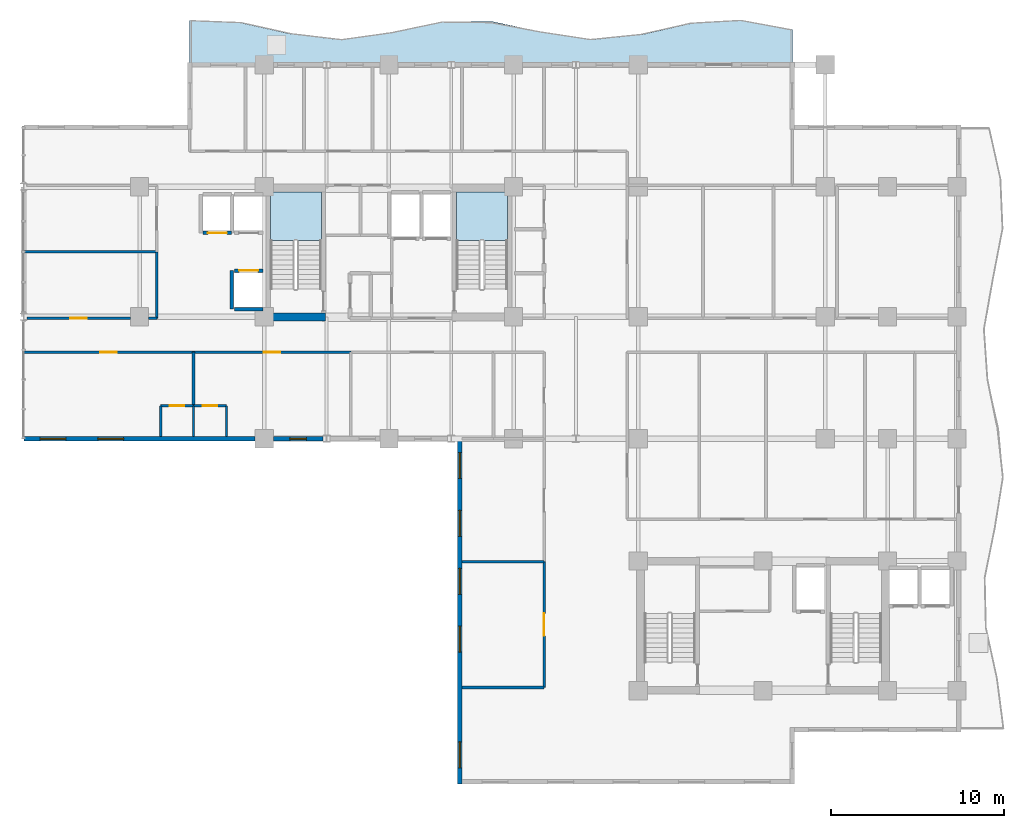
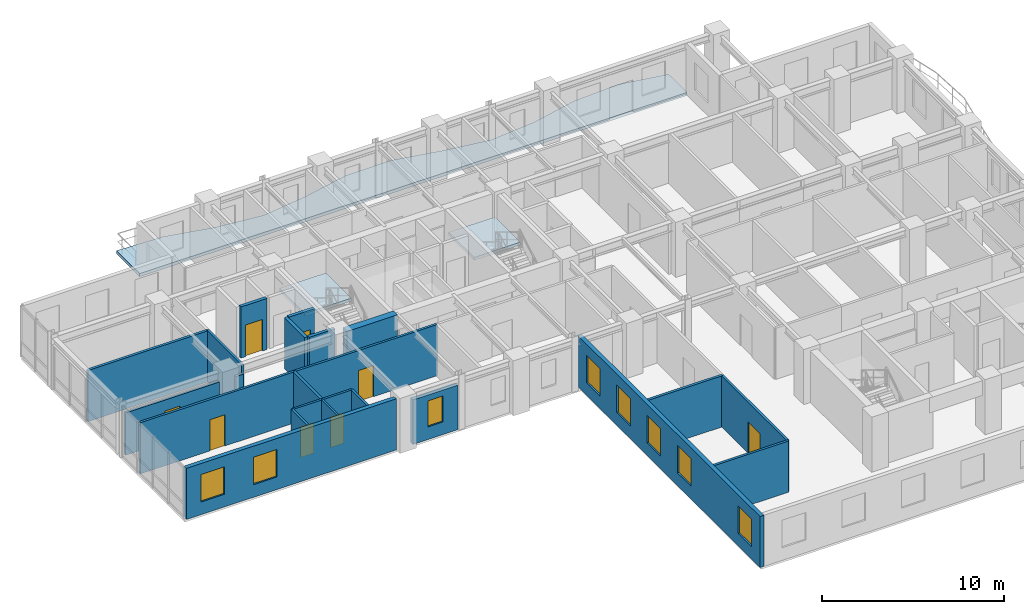
# One storey, part 9 of 18: 23 walls, 8 doors, 8 windows, 3 slabs, 16 openings, 2 elements without a shape of their own.
"""IFC4 building model written with IfcOpenShell, lengths in metres."""

from ifc_helpers import new_model, si_unit, direction, frame, frame_2d, origin, place, context, subcontext, project, spatial, polyline, rectangle, outline, extrude, material, layer, layer_set, type_object, element, fill, aggregate, save


model = new_model("IFC4")

# Units and contexts
model_context = context("Model", 3, precision=1e-05, world=origin(), true_north=direction((0.0, 1.0)))
body_context = subcontext(model_context, "Body", "Model", "MODEL_VIEW")
ifc_project = project(units=[si_unit("LENGTHUNIT", "METRE"), si_unit("AREAUNIT", "SQUARE_METRE"), si_unit("VOLUMEUNIT", "CUBIC_METRE"), si_unit("PLANEANGLEUNIT", "RADIAN"), si_unit("MASSUNIT", "GRAM", prefix="KILO")], contexts=[model_context])

# Site, building, storey
site_placement = place(None, origin())
site = spatial("IfcSite", under=ifc_project, at=site_placement, CompositionType="ELEMENT")
building_placement = place(site_placement, origin())
building = spatial("IfcBuilding", under=site, at=building_placement, Name="Kaliganga Portal Commons", CompositionType="ELEMENT")
storey_placement = place(building_placement, frame((0.0, 0.0, 169.800048828125)))
storey = spatial("IfcBuildingStorey", under=building, at=storey_placement, Name="L43", CompositionType="ELEMENT", Elevation=169.800048828125)

# Slab
ifc_material_1 = material(Name="Concrete C40/50", Category="concrete")
ifc_layer_1 = layer(ifc_material_1, 0.2099609375)
ifc_layer_set_1 = layer_set([ifc_layer_1], Name="Concrete C40/50")
slab_type_1 = type_object("IfcSlabType", Name="SLB-BALC-210", PredefinedType="FLOOR", material=ifc_layer_set_1)
slab_1_placement = place(storey_placement, frame((0.0, 0.0, -0.2099609375)))
element("IfcSlab", 1, at=slab_1_placement, inside=storey, type_object=slab_type_1, Name="Scalloped Tree-Planter Balcony Slab L43 balc_north", PredefinedType="FLOOR", context=body_context, shape_type="SweptSolid", body=[
    extrude(outline(polyline([(44.89990234375, 43.199951171875), (44.89990234375, 45.221435546875), (42.0, 45.763671875), (39.10009765625, 45.599609375), (36.199951171875, 44.942626953125), (33.300048828125, 44.649169921875), (30.39990234375, 45.101318359375), (27.5, 45.7099609375), (24.60009765625, 45.682373046875), (21.699951171875, 45.05419921875), (18.800048828125, 44.64404296875), (15.89990234375, 44.986083984375), (13.0, 45.634765625), (10.10009765625, 45.744873046875), (10.10009765625, 43.199951171875), (44.89990234375, 43.199951171875)])), origin(), (0.0, 0.0, 1.0), 0.2099609375),
])

# Stair, slab
stair_type = type_object("IfcStairType", Name="ST-CORE-DOGLEG", PredefinedType="HALF_TURN_STAIR", material=ifc_material_1)
stair_1_placement = place(storey_placement, origin())
stair_1 = element("IfcStair", 2, at=stair_1_placement, inside=storey, type_object=stair_type, Name="L43 Protected Exit Stair ST-A1", PredefinedType="HALF_TURN_STAIR")
ifc_layer_2 = layer(ifc_material_1, 0.199951171875)
ifc_layer_set_2 = layer_set([ifc_layer_2], Name="Concrete C40/50")
slab_type_2 = type_object("IfcSlabType", Name="SLB-STAIR-LND", PredefinedType="LANDING", material=ifc_layer_set_2)
slab_2_placement = place(storey_placement, frame((0.0, 0.0, 1.64990234375)))
slab_2 = element("IfcSlab", 3, at=slab_2_placement, type_object=slab_type_2, Name="ST-A1 landing 1", PredefinedType="LANDING", context=body_context, shape_type="SweptSolid", body=[
    extrude(outline(polyline([(17.699951171875, 33.050048828125), (17.699951171875, 35.85009765625), (14.75, 35.85009765625), (14.75, 33.050048828125), (17.699951171875, 33.050048828125)])), origin(), (0.0, 0.0, 1.0), 0.199951171875),
])
aggregate(stair_1, [slab_2])

stair_2_placement = place(storey_placement, origin())
stair_2 = element("IfcStair", 4, at=stair_2_placement, inside=storey, type_object=stair_type, Name="L43 Protected Exit Stair ST-A2", PredefinedType="HALF_TURN_STAIR")
slab_3_placement = place(storey_placement, frame((0.0, 0.0, 1.64990234375)))
slab_3 = element("IfcSlab", 5, at=slab_3_placement, type_object=slab_type_2, Name="ST-A2 landing 1", PredefinedType="LANDING", context=body_context, shape_type="SweptSolid", body=[
    extrude(outline(polyline([(28.449951171875, 33.050048828125), (28.449951171875, 35.85009765625), (25.5, 35.85009765625), (25.5, 33.050048828125), (28.449951171875, 33.050048828125)])), origin(), (0.0, 0.0, 1.0), 0.199951171875),
])
aggregate(stair_2, [slab_3])

# Wall
ifc_material_2 = material(Name="Concrete C60/75", Category="concrete")
ifc_layer_3 = layer(ifc_material_2, 0.449951171875)
ifc_layer_set_3 = layer_set([ifc_layer_3], Name="Concrete C60/75")
wall_type_1 = type_object("IfcWallType", Name="WL-CORE-450", PredefinedType="SHEAR", material=ifc_layer_set_3)
wall_1_placement = place(storey_placement, frame((14.75, 28.625, 0.0), z_axis=(0.0, 0.0, 1.0), x_axis=(1.0, 0.0, 0.0)))
element("IfcWall", 6, at=wall_1_placement, inside=storey, type_object=wall_type_1, Name="Core A S-West Shear Wall L43", PredefinedType="SHEAR", context=body_context, shape_type="SweptSolid", body=[
    extrude(rectangle(XDim=3.199951171875, YDim=0.449951171875, at=frame_2d((1.60009765625, 0.0))), origin(), (0.0, 0.0, 1.0), 3.4599609375),
])

# Wall, openings, windows
ifc_material_3 = material(Name="Insulated Aluminium-Clad Spandrel Assembly", Category="aluminium")
ifc_layer_4 = layer(ifc_material_3, 0.260009765625)
ifc_layer_set_4 = layer_set([ifc_layer_4], Name="Insulated Aluminium-Clad Spandrel Assembly")
wall_type_2 = type_object("IfcWallType", Name="WL-EXT-SPAND-260", PredefinedType="STANDARD", material=ifc_layer_set_4)
wall_2_placement = place(storey_placement, frame((13.8740234375, 21.60009765625, 0.0), z_axis=(0.0, 0.0, 1.0), x_axis=(-1.0, 0.0, 0.0)))
wall_2 = element("IfcWall", 7, at=wall_2_placement, inside=storey, type_object=wall_type_2, Name="Exterior Envelope Wall L43 P1-E10-S1", PredefinedType="STANDARD", context=body_context, shape_type="SweptSolid", body=[
    extrude(rectangle(XDim=13.3369140625, YDim=0.260009765625, at=frame_2d((6.66845703125, 0.0))), origin(), (0.0, 0.0, 1.0), 3.43994140625),
])
opening_1_placement = place(wall_2_placement, frame((7.585693359375, 0.0, 0.85009765625)))
opening_1 = element("IfcOpeningElement", 8, at=opening_1_placement, cuts=wall_2, Name="Opening W-02", PredefinedType="OPENING", context=body_context, shape_type="SweptSolid", body=[
    extrude(rectangle(XDim=1.5, YDim=1.85009765625, at=frame_2d((0.75, 0.925048828125))), frame((0.0, 0.14013671875, 0.0), z_axis=(0.0, -1.0, 0.0), x_axis=(1.0, 0.0, 0.0)), (0.0, 0.0, 1.0), 0.280029296875),
])
opening_2_placement = place(wall_2_placement, frame((10.919921875, 0.0, 0.85009765625)))
opening_2 = element("IfcOpeningElement", 9, at=opening_2_placement, cuts=wall_2, Name="Opening W-02", PredefinedType="OPENING", context=body_context, shape_type="SweptSolid", body=[
    extrude(rectangle(XDim=1.5, YDim=1.85009765625, at=frame_2d((0.75, 0.925048828125))), frame((0.0, 0.14013671875, 0.0), z_axis=(0.0, -1.0, 0.0), x_axis=(1.0, 0.0, 0.0)), (0.0, 0.0, 1.0), 0.280029296875),
])
ifc_material_4 = material(Name="Thermally Broken Aluminium and Low-E Double Glazing", Category="aluminium")
window_type_1 = type_object("IfcWindowType", Name="WIN-STD-1500", PartitioningType="DOUBLE_PANEL_VERTICAL", PredefinedType="WINDOW", material=ifc_material_4)
window_1_placement = place(opening_1_placement, origin())
window_1 = element("IfcWindow", 10, at=window_1_placement, inside=storey, type_object=window_type_1, Name="Facade Window L43-P1E10S1-02", OverallHeight=1.85009765625, OverallWidth=1.5, PartitioningType="SINGLE_PANEL", PredefinedType="WINDOW", context=body_context, shape_type="SweptSolid", body=[
    extrude(rectangle(XDim=1.5, YDim=1.85009765625, at=frame_2d((0.75, 0.925048828125))), frame((0.0, 0.030029296875, 0.0), z_axis=(0.0, -1.0, 0.0), x_axis=(1.0, 0.0, 0.0)), (0.0, 0.0, 1.0), 0.06005859375),
])
fill(opening_1, window_1)
window_2_placement = place(opening_2_placement, origin())
window_2 = element("IfcWindow", 11, at=window_2_placement, inside=storey, type_object=window_type_1, Name="Facade Window L43-P1E10S1-03", OverallHeight=1.85009765625, OverallWidth=1.5, PartitioningType="SINGLE_PANEL", PredefinedType="WINDOW", context=body_context, shape_type="SweptSolid", body=[
    extrude(rectangle(XDim=1.5, YDim=1.85009765625, at=frame_2d((0.75, 0.925048828125))), frame((0.0, 0.030029296875, 0.0), z_axis=(0.0, -1.0, 0.0), x_axis=(1.0, 0.0, 0.0)), (0.0, 0.0, 1.0), 0.06005859375),
])
fill(opening_2, window_2)

# Wall, opening, window
wall_3_placement = place(storey_placement, frame((17.797119140625, 21.60009765625, 0.0), z_axis=(0.0, 0.0, 1.0), x_axis=(-1.0, 0.0, 0.0)))
wall_3 = element("IfcWall", 12, at=wall_3_placement, inside=storey, type_object=wall_type_2, Name="Exterior Envelope Wall L43 P1-E10-S2", PredefinedType="STANDARD", context=body_context, shape_type="SweptSolid", body=[
    extrude(rectangle(XDim=2.87109375, YDim=0.260009765625, at=frame_2d((1.435546875, 0.0))), origin(), (0.0, 0.0, 1.0), 2.989990234375),
])
opening_3_placement = place(wall_3_placement, frame((0.96044921875, 0.0, 0.85009765625)))
opening_3 = element("IfcOpeningElement", 13, at=opening_3_placement, cuts=wall_3, Name="Opening W-04", PredefinedType="OPENING", context=body_context, shape_type="SweptSolid", body=[
    extrude(rectangle(XDim=0.949951171875, YDim=1.75, at=frame_2d((0.47509765625, 0.875))), frame((0.0, 0.14013671875, 0.0), z_axis=(0.0, -1.0, 0.0), x_axis=(1.0, 0.0, 0.0)), (0.0, 0.0, 1.0), 0.280029296875),
])
window_type_2 = type_object("IfcWindowType", Name="WIN-NARROW-950", PartitioningType="SINGLE_PANEL", PredefinedType="WINDOW", material=ifc_material_4)
window_3_placement = place(opening_3_placement, origin())
window_3 = element("IfcWindow", 14, at=window_3_placement, inside=storey, type_object=window_type_2, Name="Facade Window L43-P1E10S2-00", OverallHeight=1.75, OverallWidth=0.949951171875, PartitioningType="SINGLE_PANEL", PredefinedType="WINDOW", context=body_context, shape_type="SweptSolid", body=[
    extrude(rectangle(XDim=0.949951171875, YDim=1.75, at=frame_2d((0.47509765625, 0.875))), frame((0.0, 0.030029296875, 0.0), z_axis=(0.0, -1.0, 0.0), x_axis=(1.0, 0.0, 0.0)), (0.0, 0.0, 1.0), 0.06005859375),
])
fill(opening_3, window_3)

# Wall, openings, windows
wall_4_placement = place(storey_placement, frame((25.699951171875, 1.669921875, 0.0), z_axis=(0.0, 0.0, 1.0), x_axis=(0.0, 1.0, 0.0)))
wall_4 = element("IfcWall", 15, at=wall_4_placement, inside=storey, type_object=wall_type_2, Name="Exterior Envelope Wall L43 P1-E11-S1", PredefinedType="STANDARD", context=body_context, shape_type="SweptSolid", body=[
    extrude(rectangle(XDim=20.06005859375, YDim=0.260009765625, at=frame_2d((10.030029296875, 0.0))), origin(), (0.0, 0.0, 1.0), 3.43994140625),
])
opening_4_placement = place(wall_4_placement, frame((0.921630859375, 0.0, 0.85009765625)))
opening_4 = element("IfcOpeningElement", 16, at=opening_4_placement, cuts=wall_4, Name="Opening W-02", PredefinedType="OPENING", context=body_context, shape_type="SweptSolid", body=[
    extrude(rectangle(XDim=1.5, YDim=1.85009765625, at=frame_2d((0.75, 0.925048828125))), frame((0.0, 0.14013671875, 0.0), z_axis=(0.0, -1.0, 0.0), x_axis=(1.0, 0.0, 0.0)), (0.0, 0.0, 1.0), 0.280029296875),
])
opening_5_placement = place(wall_4_placement, frame((7.6083984375, 0.0, 0.85009765625)))
opening_5 = element("IfcOpeningElement", 17, at=opening_5_placement, cuts=wall_4, Name="Opening W-02", PredefinedType="OPENING", context=body_context, shape_type="SweptSolid", body=[
    extrude(rectangle(XDim=1.5, YDim=1.85009765625, at=frame_2d((0.75, 0.925048828125))), frame((0.0, 0.14013671875, 0.0), z_axis=(0.0, -1.0, 0.0), x_axis=(1.0, 0.0, 0.0)), (0.0, 0.0, 1.0), 0.280029296875),
])
opening_6_placement = place(wall_4_placement, frame((10.95166015625, 0.0, 0.85009765625)))
opening_6 = element("IfcOpeningElement", 18, at=opening_6_placement, cuts=wall_4, Name="Opening W-02", PredefinedType="OPENING", context=body_context, shape_type="SweptSolid", body=[
    extrude(rectangle(XDim=1.5, YDim=1.85009765625, at=frame_2d((0.75, 0.925048828125))), frame((0.0, 0.14013671875, 0.0), z_axis=(0.0, -1.0, 0.0), x_axis=(1.0, 0.0, 0.0)), (0.0, 0.0, 1.0), 0.280029296875),
])
opening_7_placement = place(wall_4_placement, frame((14.294921875, 0.0, 0.85009765625)))
opening_7 = element("IfcOpeningElement", 19, at=opening_7_placement, cuts=wall_4, Name="Opening W-02", PredefinedType="OPENING", context=body_context, shape_type="SweptSolid", body=[
    extrude(rectangle(XDim=1.5, YDim=1.85009765625, at=frame_2d((0.75, 0.925048828125))), frame((0.0, 0.14013671875, 0.0), z_axis=(0.0, -1.0, 0.0), x_axis=(1.0, 0.0, 0.0)), (0.0, 0.0, 1.0), 0.280029296875),
])
opening_8_placement = place(wall_4_placement, frame((17.63818359375, 0.0, 0.85009765625)))
opening_8 = element("IfcOpeningElement", 20, at=opening_8_placement, cuts=wall_4, Name="Opening W-02", PredefinedType="OPENING", context=body_context, shape_type="SweptSolid", body=[
    extrude(rectangle(XDim=1.5, YDim=1.85009765625, at=frame_2d((0.75, 0.925048828125))), frame((0.0, 0.14013671875, 0.0), z_axis=(0.0, -1.0, 0.0), x_axis=(1.0, 0.0, 0.0)), (0.0, 0.0, 1.0), 0.280029296875),
])
window_4_placement = place(opening_4_placement, origin())
window_4 = element("IfcWindow", 21, at=window_4_placement, inside=storey, type_object=window_type_1, Name="Facade Window L43-P1E11S1-00", OverallHeight=1.85009765625, OverallWidth=1.5, PartitioningType="SINGLE_PANEL", PredefinedType="WINDOW", context=body_context, shape_type="SweptSolid", body=[
    extrude(rectangle(XDim=1.5, YDim=1.85009765625, at=frame_2d((0.75, 0.925048828125))), frame((0.0, 0.030029296875, 0.0), z_axis=(0.0, -1.0, 0.0), x_axis=(1.0, 0.0, 0.0)), (0.0, 0.0, 1.0), 0.06005859375),
])
fill(opening_4, window_4)
window_5_placement = place(opening_5_placement, origin())
window_5 = element("IfcWindow", 22, at=window_5_placement, inside=storey, type_object=window_type_1, Name="Facade Window L43-P1E11S1-02", OverallHeight=1.85009765625, OverallWidth=1.5, PartitioningType="SINGLE_PANEL", PredefinedType="WINDOW", context=body_context, shape_type="SweptSolid", body=[
    extrude(rectangle(XDim=1.5, YDim=1.85009765625, at=frame_2d((0.75, 0.925048828125))), frame((0.0, 0.030029296875, 0.0), z_axis=(0.0, -1.0, 0.0), x_axis=(1.0, 0.0, 0.0)), (0.0, 0.0, 1.0), 0.06005859375),
])
fill(opening_5, window_5)
window_6_placement = place(opening_6_placement, origin())
window_6 = element("IfcWindow", 23, at=window_6_placement, inside=storey, type_object=window_type_1, Name="Facade Window L43-P1E11S1-03", OverallHeight=1.85009765625, OverallWidth=1.5, PartitioningType="SINGLE_PANEL", PredefinedType="WINDOW", context=body_context, shape_type="SweptSolid", body=[
    extrude(rectangle(XDim=1.5, YDim=1.85009765625, at=frame_2d((0.75, 0.925048828125))), frame((0.0, 0.030029296875, 0.0), z_axis=(0.0, -1.0, 0.0), x_axis=(1.0, 0.0, 0.0)), (0.0, 0.0, 1.0), 0.06005859375),
])
fill(opening_6, window_6)
window_7_placement = place(opening_7_placement, origin())
window_7 = element("IfcWindow", 24, at=window_7_placement, inside=storey, type_object=window_type_1, Name="Facade Window L43-P1E11S1-04", OverallHeight=1.85009765625, OverallWidth=1.5, PartitioningType="SINGLE_PANEL", PredefinedType="WINDOW", context=body_context, shape_type="SweptSolid", body=[
    extrude(rectangle(XDim=1.5, YDim=1.85009765625, at=frame_2d((0.75, 0.925048828125))), frame((0.0, 0.030029296875, 0.0), z_axis=(0.0, -1.0, 0.0), x_axis=(1.0, 0.0, 0.0)), (0.0, 0.0, 1.0), 0.06005859375),
])
fill(opening_7, window_7)
window_8_placement = place(opening_8_placement, origin())
window_8 = element("IfcWindow", 25, at=window_8_placement, inside=storey, type_object=window_type_1, Name="Facade Window L43-P1E11S1-05", OverallHeight=1.85009765625, OverallWidth=1.5, PartitioningType="SINGLE_PANEL", PredefinedType="WINDOW", context=body_context, shape_type="SweptSolid", body=[
    extrude(rectangle(XDim=1.5, YDim=1.85009765625, at=frame_2d((0.75, 0.925048828125))), frame((0.0, 0.030029296875, 0.0), z_axis=(0.0, -1.0, 0.0), x_axis=(1.0, 0.0, 0.0)), (0.0, 0.0, 1.0), 0.06005859375),
])
fill(opening_8, window_8)

# Wall, opening, door
ifc_material_5 = material(Name="Fire-Rated Gypsum Board on Steel Stud", Category="steel")
ifc_layer_5 = layer(ifc_material_5, 0.14990234375)
ifc_layer_set_5 = layer_set([ifc_layer_5], Name="Fire-Rated Gypsum Board on Steel Stud")
wall_type_3 = type_object("IfcWallType", Name="WL-PART-CORR-150", PredefinedType="PARTITIONING", material=ifc_layer_set_5)
wall_5_placement = place(storey_placement, frame((0.52001953125, 26.60009765625, 0.0), z_axis=(0.0, 0.0, 1.0), x_axis=(1.0, 0.0, 0.0)))
wall_5 = element("IfcWall", 26, at=wall_5_placement, inside=storey, type_object=wall_type_3, Name="Interior Partition L43-006", PredefinedType="PARTITIONING", context=body_context, shape_type="SweptSolid", body=[
    extrude(rectangle(XDim=9.800048828125, YDim=0.14990234375, at=frame_2d((4.89990234375, 0.0))), origin(), (0.0, 0.0, 1.0), 3.43994140625),
])
opening_9_placement = place(wall_5_placement, frame((4.425048828125, 0.0, 0.0)))
opening_9 = element("IfcOpeningElement", 27, at=opening_9_placement, cuts=wall_5, Name="Opening UD-01", PredefinedType="OPENING", context=body_context, shape_type="SweptSolid", body=[
    extrude(rectangle(XDim=0.949951171875, YDim=2.10009765625, at=frame_2d((0.47509765625, 1.050048828125))), frame((0.0, 0.0849609375, 0.0), z_axis=(0.0, -1.0, 0.0), x_axis=(1.0, 0.0, 0.0)), (0.0, 0.0, 1.0), 0.169921875),
])
ifc_material_6 = material(Name="Solid-Core Timber Acoustic Fire Door", Category="wood")
door_type_1 = type_object("IfcDoorType", Name="DR-UNIT-950", OperationType="NOTDEFINED", PredefinedType="DOOR", material=ifc_material_6)
door_1_placement = place(opening_9_placement, origin())
door_1 = element("IfcDoor", 28, at=door_1_placement, inside=storey, type_object=door_type_1, Name="Interior Door L43-AS01", OperationType="SINGLE_SWING_LEFT", OverallHeight=2.10009765625, OverallWidth=0.949951171875, PredefinedType="DOOR", context=body_context, shape_type="SweptSolid", body=[
    extrude(rectangle(XDim=0.949951171875, YDim=2.10009765625, at=frame_2d((0.47509765625, 1.050048828125))), frame((0.0, 0.02490234375, 0.0), z_axis=(0.0, -1.0, 0.0), x_axis=(1.0, 0.0, 0.0)), (0.0, 0.0, 1.0), 0.050048828125),
])
fill(opening_9, door_1)

wall_6_placement = place(storey_placement, frame((10.320068359375, 26.60009765625, 0.0), z_axis=(0.0, 0.0, 1.0), x_axis=(1.0, 0.0, 0.0)))
wall_6 = element("IfcWall", 29, at=wall_6_placement, inside=storey, type_object=wall_type_3, Name="Interior Partition L43-008", PredefinedType="PARTITIONING", context=body_context, shape_type="SweptSolid", body=[
    extrude(rectangle(XDim=9.079833984375, YDim=0.14990234375, at=frame_2d((4.5400390625, 0.0))), origin(), (0.0, 0.0, 1.0), 3.43994140625),
])
opening_10_placement = place(wall_6_placement, frame((4.06494140625, 0.0, 0.0)))
opening_10 = element("IfcOpeningElement", 30, at=opening_10_placement, cuts=wall_6, Name="Opening UD-01", PredefinedType="OPENING", context=body_context, shape_type="SweptSolid", body=[
    extrude(rectangle(XDim=0.949951171875, YDim=2.10009765625, at=frame_2d((0.47509765625, 1.050048828125))), frame((0.0, 0.0849609375, 0.0), z_axis=(0.0, -1.0, 0.0), x_axis=(1.0, 0.0, 0.0)), (0.0, 0.0, 1.0), 0.169921875),
])
door_2_placement = place(opening_10_placement, origin())
door_2 = element("IfcDoor", 31, at=door_2_placement, inside=storey, type_object=door_type_1, Name="Interior Door L43-AS02", OperationType="SINGLE_SWING_LEFT", OverallHeight=2.10009765625, OverallWidth=0.949951171875, PredefinedType="DOOR", context=body_context, shape_type="SweptSolid", body=[
    extrude(rectangle(XDim=0.949951171875, YDim=2.10009765625, at=frame_2d((0.47509765625, 1.050048828125))), frame((0.0, 0.02490234375, 0.0), z_axis=(0.0, -1.0, 0.0), x_axis=(1.0, 0.0, 0.0)), (0.0, 0.0, 1.0), 0.050048828125),
])
fill(opening_10, door_2)

wall_7_placement = place(storey_placement, frame((0.701904296875, 28.56005859375, 0.0), z_axis=(0.0, 0.0, 1.0), x_axis=(1.0, 0.0, 0.0)))
wall_7 = element("IfcWall", 32, at=wall_7_placement, inside=storey, type_object=wall_type_3, Name="Interior Partition L43-010", PredefinedType="PARTITIONING", context=body_context, shape_type="SweptSolid", body=[
    extrude(rectangle(XDim=5.97314453125, YDim=0.14990234375, at=frame_2d((2.986572265625, 0.0))), origin(), (0.0, 0.0, 1.0), 2.83984375),
])
opening_11_placement = place(wall_7_placement, frame((2.511474609375, 0.0, 0.0)))
opening_11 = element("IfcOpeningElement", 33, at=opening_11_placement, cuts=wall_7, Name="Opening UD-01", PredefinedType="OPENING", context=body_context, shape_type="SweptSolid", body=[
    extrude(rectangle(XDim=0.949951171875, YDim=2.10009765625, at=frame_2d((0.47509765625, 1.050048828125))), frame((0.0, 0.0849609375, 0.0), z_axis=(0.0, -1.0, 0.0), x_axis=(1.0, 0.0, 0.0)), (0.0, 0.0, 1.0), 0.169921875),
])
door_3_placement = place(opening_11_placement, origin())
door_3 = element("IfcDoor", 34, at=door_3_placement, inside=storey, type_object=door_type_1, Name="Interior Door L43-AW01", OperationType="SINGLE_SWING_LEFT", OverallHeight=2.10009765625, OverallWidth=0.949951171875, PredefinedType="DOOR", context=body_context, shape_type="SweptSolid", body=[
    extrude(rectangle(XDim=0.949951171875, YDim=2.10009765625, at=frame_2d((0.47509765625, 1.050048828125))), frame((0.0, 0.02490234375, 0.0), z_axis=(0.0, -1.0, 0.0), x_axis=(1.0, 0.0, 0.0)), (0.0, 0.0, 1.0), 0.050048828125),
])
fill(opening_11, door_3)

# Wall
wall_8_placement = place(storey_placement, frame((7.72509765625, 28.56005859375, 0.0), z_axis=(0.0, 0.0, 1.0), x_axis=(1.0, 0.0, 0.0)))
element("IfcWall", 35, at=wall_8_placement, inside=storey, type_object=wall_type_3, Name="Interior Partition L43-011", PredefinedType="PARTITIONING", context=body_context, shape_type="SweptSolid", body=[
    extrude(rectangle(XDim=0.474853515625, YDim=0.14990234375, at=frame_2d((0.2373046875, 0.0))), origin(), (0.0, 0.0, 1.0), 2.83984375),
])

# Wall, opening, door
wall_9_placement = place(storey_placement, frame((30.56005859375, 7.239990234375, 0.0), z_axis=(0.0, 0.0, 1.0), x_axis=(0.0, 1.0, 0.0)))
wall_9 = element("IfcWall", 36, at=wall_9_placement, inside=storey, type_object=wall_type_3, Name="Interior Partition L43-013", PredefinedType="PARTITIONING", context=body_context, shape_type="SweptSolid", body=[
    extrude(rectangle(XDim=7.260009765625, YDim=0.14990234375, at=frame_2d((3.6298828125, 0.0))), origin(), (0.0, 0.0, 1.0), 3.43994140625),
])
opening_12_placement = place(wall_9_placement, frame((2.97998046875, 0.0, 0.0)))
opening_12 = element("IfcOpeningElement", 37, at=opening_12_placement, cuts=wall_9, Name="Opening RD-03", PredefinedType="OPENING", context=body_context, shape_type="SweptSolid", body=[
    extrude(rectangle(XDim=1.300048828125, YDim=2.1201171875, at=frame_2d((0.64990234375, 1.06005859375))), frame((0.0, 0.0849609375, 0.0), z_axis=(0.0, -1.0, 0.0), x_axis=(1.0, 0.0, 0.0)), (0.0, 0.0, 1.0), 0.169921875),
])
ifc_material_7 = material(Name="Glazed Timber Seminar Vision Door", Category="wood")
door_type_2 = type_object("IfcDoorType", Name="DR-STUDY-1300", OperationType="DOUBLE_DOOR_SINGLE_SWING", PredefinedType="DOOR", material=ifc_material_7)
door_4_placement = place(opening_12_placement, origin())
door_4 = element("IfcDoor", 38, at=door_4_placement, inside=storey, type_object=door_type_2, Name="Interior Door L43-KW01", OperationType="DOUBLE_DOOR_SINGLE_SWING", OverallHeight=2.1201171875, OverallWidth=1.300048828125, PredefinedType="DOOR", context=body_context, shape_type="SweptSolid", body=[
    extrude(rectangle(XDim=1.300048828125, YDim=2.1201171875, at=frame_2d((0.64990234375, 1.06005859375))), frame((0.0, 0.02490234375, 0.0), z_axis=(0.0, -1.0, 0.0), x_axis=(1.0, 0.0, 0.0)), (0.0, 0.0, 1.0), 0.050048828125),
])
fill(opening_12, door_4)

# Walls
wall_10_placement = place(storey_placement, frame((25.83203125, 7.239990234375, 0.0), z_axis=(0.0, 0.0, 1.0), x_axis=(1.0, 0.0, 0.0)))
element("IfcWall", 39, at=wall_10_placement, inside=storey, type_object=wall_type_3, Name="Interior Partition L43-021", PredefinedType="PARTITIONING", context=body_context, shape_type="SweptSolid", body=[
    extrude(rectangle(XDim=4.72802734375, YDim=0.14990234375, at=frame_2d((2.364013671875, 0.0))), origin(), (0.0, 0.0, 1.0), 3.43994140625),
])
wall_11_placement = place(storey_placement, frame((8.199951171875, 28.56005859375, 0.0), z_axis=(0.0, 0.0, 1.0), x_axis=(0.0, 1.0, 0.0)))
element("IfcWall", 40, at=wall_11_placement, inside=storey, type_object=wall_type_3, Name="Interior Partition L43-033", PredefinedType="PARTITIONING", context=body_context, shape_type="SweptSolid", body=[
    extrude(rectangle(XDim=3.83984375, YDim=0.14990234375, at=frame_2d((1.919921875, 0.0))), origin(), (0.0, 0.0, 1.0), 3.43994140625),
])
ifc_material_8 = material(Name="Twin-Stud Acoustic Gypsum Partition", Category="gypsum")
ifc_layer_6 = layer(ifc_material_8, 0.1650390625)
ifc_layer_set_6 = layer_set([ifc_layer_6], Name="Twin-Stud Acoustic Gypsum Partition")
wall_type_4 = type_object("IfcWallType", Name="WL-PART-UNIT-165", PredefinedType="PARTITIONING", material=ifc_layer_set_6)
wall_12_placement = place(storey_placement, frame((0.52001953125, 32.39990234375, 0.0), z_axis=(0.0, 0.0, 1.0), x_axis=(1.0, 0.0, 0.0)))
element("IfcWall", 41, at=wall_12_placement, inside=storey, type_object=wall_type_4, Name="Interior Partition L43-062", PredefinedType="PARTITIONING", context=body_context, shape_type="SweptSolid", body=[
    extrude(rectangle(XDim=7.679931640625, YDim=0.1650390625, at=frame_2d((3.83984375, 0.0))), origin(), (0.0, 0.0, 1.0), 3.43994140625),
])
wall_13_placement = place(storey_placement, frame((25.83203125, 14.5, 0.0), z_axis=(0.0, 0.0, 1.0), x_axis=(1.0, 0.0, 0.0)))
element("IfcWall", 42, at=wall_13_placement, inside=storey, type_object=wall_type_4, Name="Interior Partition L43-079", PredefinedType="PARTITIONING", context=body_context, shape_type="SweptSolid", body=[
    extrude(rectangle(XDim=4.72802734375, YDim=0.1650390625, at=frame_2d((2.364013671875, 0.0))), origin(), (0.0, 0.0, 1.0), 3.43994140625),
])
wall_14_placement = place(storey_placement, frame((10.320068359375, 23.5, 0.0), z_axis=(0.0, 0.0, 1.0), x_axis=(0.0, 1.0, 0.0)))
element("IfcWall", 43, at=wall_14_placement, inside=storey, type_object=wall_type_4, Name="Interior Partition L43-084", PredefinedType="PARTITIONING", context=body_context, shape_type="SweptSolid", body=[
    extrude(rectangle(XDim=3.10009765625, YDim=0.1650390625, at=frame_2d((1.550048828125, 0.0))), origin(), (0.0, 0.0, 1.0), 3.43994140625),
])

# Wall, opening, door
ifc_material_9 = material(Name="Cement-Board Wet-Room Partition", Category="gypsum")
ifc_layer_7 = layer(ifc_material_9, 0.135009765625)
ifc_layer_set_7 = layer_set([ifc_layer_7], Name="Cement-Board Wet-Room Partition")
wall_type_5 = type_object("IfcWallType", Name="WL-PART-WET-135", PredefinedType="PARTITIONING", material=ifc_layer_set_7)
wall_15_placement = place(storey_placement, frame((8.419921875, 23.5, 0.0), z_axis=(0.0, 0.0, 1.0), x_axis=(1.0, 0.0, 0.0)))
wall_15 = element("IfcWall", 44, at=wall_15_placement, inside=storey, type_object=wall_type_5, Name="Interior Partition L43-001", PredefinedType="PARTITIONING", context=body_context, shape_type="SweptSolid", body=[
    extrude(rectangle(XDim=1.900146484375, YDim=0.135009765625, at=frame_2d((0.9501953125, 0.0))), origin(), (0.0, 0.0, 1.0), 3.43994140625),
])
opening_13_placement = place(wall_15_placement, frame((0.52490234375, 0.0, 0.0)))
opening_13 = element("IfcOpeningElement", 45, at=opening_13_placement, cuts=wall_15, Name="Opening WD-01", PredefinedType="OPENING", context=body_context, shape_type="SweptSolid", body=[
    extrude(rectangle(XDim=0.85009765625, YDim=2.0400390625, at=frame_2d((0.425048828125, 1.02001953125))), frame((0.0, 0.07763671875, 0.0), z_axis=(0.0, -1.0, 0.0), x_axis=(1.0, 0.0, 0.0)), (0.0, 0.0, 1.0), 0.155029296875),
])
ifc_material_10 = material(Name="Moisture-Resistant Laminate Timber Door", Category="wood")
door_type_3 = type_object("IfcDoorType", Name="DR-WET-850", OperationType="NOTDEFINED", PredefinedType="DOOR", material=ifc_material_10)
door_5_placement = place(opening_13_placement, origin())
door_5 = element("IfcDoor", 46, at=door_5_placement, inside=storey, type_object=door_type_3, Name="Interior Door L43-AS01E", OperationType="SINGLE_SWING_LEFT", OverallHeight=2.0400390625, OverallWidth=0.85009765625, PredefinedType="DOOR", context=body_context, shape_type="SweptSolid", body=[
    extrude(rectangle(XDim=0.85009765625, YDim=2.0400390625, at=frame_2d((0.425048828125, 1.02001953125))), frame((0.0, 0.02490234375, 0.0), z_axis=(0.0, -1.0, 0.0), x_axis=(1.0, 0.0, 0.0)), (0.0, 0.0, 1.0), 0.050048828125),
])
fill(opening_13, door_5)

wall_16_placement = place(storey_placement, frame((10.320068359375, 23.5, 0.0), z_axis=(0.0, 0.0, 1.0), x_axis=(1.0, 0.0, 0.0)))
wall_16 = element("IfcWall", 47, at=wall_16_placement, inside=storey, type_object=wall_type_5, Name="Interior Partition L43-002", PredefinedType="PARTITIONING", context=body_context, shape_type="SweptSolid", body=[
    extrude(rectangle(XDim=1.89990234375, YDim=0.135009765625, at=frame_2d((0.949951171875, 0.0))), origin(), (0.0, 0.0, 1.0), 3.43994140625),
])
opening_14_placement = place(wall_16_placement, frame((0.52490234375, 0.0, 0.0)))
opening_14 = element("IfcOpeningElement", 48, at=opening_14_placement, cuts=wall_16, Name="Opening WD-01", PredefinedType="OPENING", context=body_context, shape_type="SweptSolid", body=[
    extrude(rectangle(XDim=0.85009765625, YDim=2.0400390625, at=frame_2d((0.425048828125, 1.02001953125))), frame((0.0, 0.07763671875, 0.0), z_axis=(0.0, -1.0, 0.0), x_axis=(1.0, 0.0, 0.0)), (0.0, 0.0, 1.0), 0.155029296875),
])
door_6_placement = place(opening_14_placement, origin())
door_6 = element("IfcDoor", 49, at=door_6_placement, inside=storey, type_object=door_type_3, Name="Interior Door L43-AS02E", OperationType="SINGLE_SWING_RIGHT", OverallHeight=2.0400390625, OverallWidth=0.85009765625, PredefinedType="DOOR", context=body_context, shape_type="SweptSolid", body=[
    extrude(rectangle(XDim=0.85009765625, YDim=2.0400390625, at=frame_2d((0.425048828125, 1.02001953125))), frame((0.0, 0.02490234375, 0.0), z_axis=(0.0, -1.0, 0.0), x_axis=(1.0, 0.0, 0.0)), (0.0, 0.0, 1.0), 0.050048828125),
])
fill(opening_14, door_6)

# Walls
for number, where, z_axis, x_axis, name in (
    (50, (8.419921875, 21.73193359375, 0.0), (0.0, 0.0, 1.0), (0.0, 1.0, 0.0), "Interior Partition L43-003"),
    (51, (10.320068359375, 21.73193359375, 0.0), (0.0, 0.0, 1.0), (0.0, 1.0, 0.0), "Interior Partition L43-004"),
    (52, (12.219970703125, 21.73193359375, 0.0), (0.0, 0.0, 1.0), (0.0, 1.0, 0.0), "Interior Partition L43-005"),
):
    element("IfcWall", number, at=place(storey_placement, frame(where, z_axis=z_axis, x_axis=x_axis)), inside=storey, type_object=wall_type_5, Name=name, PredefinedType="PARTITIONING", context=body_context, shape_type="SweptSolid", body=[
        extrude(rectangle(XDim=1.76806640625, YDim=0.135009765625, at=frame_2d((0.884033203125, 0.0))), origin(), (0.0, 0.0, 1.0), 3.43994140625),
    ])
ifc_material_11 = material(Name="Fire-Rated Shaftwall Masonry Assembly", Category="masonry")
ifc_layer_8 = layer(ifc_material_11, 0.199951171875)
ifc_layer_set_8 = layer_set([ifc_layer_8], Name="Fire-Rated Shaftwall Masonry Assembly")
wall_type_6 = type_object("IfcWallType", Name="WL-SHAFT-200", PredefinedType="PARTITIONING", material=ifc_layer_set_8)
wall_17_placement = place(storey_placement, frame((12.675048828125, 29.0849609375, 0.0), z_axis=(0.0, 0.0, 1.0), x_axis=(1.0, 0.0, 0.0)))
element("IfcWall", 53, at=wall_17_placement, inside=storey, type_object=wall_type_6, Name="Lift PL-A4 Hoistway Shaft Wall L43-S", PredefinedType="PARTITIONING", context=body_context, shape_type="SweptSolid", body=[
    extrude(rectangle(XDim=1.64990234375, YDim=0.199951171875, at=frame_2d((0.824951171875, 0.0))), origin(), (0.0, 0.0, 1.0), 3.43994140625),
])

# Wall, opening, door
wall_18_placement = place(storey_placement, frame((12.675048828125, 31.31494140625, 0.0), z_axis=(0.0, 0.0, 1.0), x_axis=(1.0, 0.0, 0.0)))
wall_18 = element("IfcWall", 54, at=wall_18_placement, inside=storey, type_object=wall_type_6, Name="Lift PL-A4 Hoistway Shaft Wall L43-N", PredefinedType="PARTITIONING", context=body_context, shape_type="SweptSolid", body=[
    extrude(rectangle(XDim=1.64990234375, YDim=0.199951171875, at=frame_2d((0.824951171875, 0.0))), origin(), (0.0, 0.0, 1.0), 3.43994140625),
])
opening_15_placement = place(wall_18_placement, frame((0.27490234375, 0.0, 0.0)))
opening_15 = element("IfcOpeningElement", 55, at=opening_15_placement, cuts=wall_18, Name="Opening LD-01", PredefinedType="OPENING", context=body_context, shape_type="SweptSolid", body=[
    extrude(rectangle(XDim=1.10009765625, YDim=2.1201171875, at=frame_2d((0.550048828125, 1.06005859375))), frame((0.0, 0.10986328125, 0.0), z_axis=(0.0, -1.0, 0.0), x_axis=(1.0, 0.0, 0.0)), (0.0, 0.0, 1.0), 0.219970703125),
])
ifc_material_12 = material(Name="Brushed Stainless Steel 316 Lift Landing Door", Category="steel")
door_type_4 = type_object("IfcDoorType", Name="DR-LIFT-1100", OperationType="SLIDING_TO_LEFT", PredefinedType="DOOR", material=ifc_material_12)
door_7_placement = place(opening_15_placement, origin())
door_7 = element("IfcDoor", 56, at=door_7_placement, inside=storey, type_object=door_type_4, Name="Lift PL-A4 Sliding Landing Door L43", OperationType="SLIDING_TO_LEFT", OverallHeight=2.1201171875, OverallWidth=1.10009765625, PredefinedType="DOOR", context=body_context, shape_type="SweptSolid", body=[
    extrude(rectangle(XDim=1.10009765625, YDim=2.1201171875, at=frame_2d((0.550048828125, 1.06005859375))), frame((0.0, 0.02490234375, 0.0), z_axis=(0.0, -1.0, 0.0), x_axis=(1.0, 0.0, 0.0)), (0.0, 0.0, 1.0), 0.050048828125),
])
fill(opening_15, door_7)

# Wall
wall_19_placement = place(storey_placement, frame((12.534912109375, 29.0849609375, 0.0), z_axis=(0.0, 0.0, 1.0), x_axis=(0.0, 1.0, 0.0)))
element("IfcWall", 57, at=wall_19_placement, inside=storey, type_object=wall_type_6, Name="Lift PL-A4 Hoistway Shaft Wall L43-W", PredefinedType="PARTITIONING", context=body_context, shape_type="SweptSolid", body=[
    extrude(rectangle(XDim=2.22998046875, YDim=0.199951171875, at=frame_2d((1.114990234375, 0.0))), origin(), (0.0, 0.0, 1.0), 3.43994140625),
])

# Wall, opening, door
wall_20_placement = place(storey_placement, frame((10.875, 33.485107421875, 0.0), z_axis=(0.0, 0.0, 1.0), x_axis=(1.0, 0.0, 0.0)))
wall_20 = element("IfcWall", 58, at=wall_20_placement, inside=storey, type_object=wall_type_6, Name="Lift PL-OBS Hoistway Shaft Wall L43-S", PredefinedType="PARTITIONING", context=body_context, shape_type="SweptSolid", body=[
    extrude(rectangle(XDim=1.64990234375, YDim=0.199951171875, at=frame_2d((0.824951171875, 0.0))), origin(), (0.0, 0.0, 1.0), 3.43994140625),
])
opening_16_placement = place(wall_20_placement, frame((0.27490234375, 0.0, 0.0)))
opening_16 = element("IfcOpeningElement", 59, at=opening_16_placement, cuts=wall_20, Name="Opening LD-01", PredefinedType="OPENING", context=body_context, shape_type="SweptSolid", body=[
    extrude(rectangle(XDim=1.10009765625, YDim=2.1201171875, at=frame_2d((0.550048828125, 1.06005859375))), frame((0.0, 0.10986328125, 0.0), z_axis=(0.0, -1.0, 0.0), x_axis=(1.0, 0.0, 0.0)), (0.0, 0.0, 1.0), 0.219970703125),
])
door_8_placement = place(opening_16_placement, origin())
door_8 = element("IfcDoor", 60, at=door_8_placement, inside=storey, type_object=door_type_4, Name="Lift PL-OBS Sliding Landing Door L43", OperationType="SLIDING_TO_LEFT", OverallHeight=2.1201171875, OverallWidth=1.10009765625, PredefinedType="DOOR", context=body_context, shape_type="SweptSolid", body=[
    extrude(rectangle(XDim=1.10009765625, YDim=2.1201171875, at=frame_2d((0.550048828125, 1.06005859375))), frame((0.0, 0.02490234375, 0.0), z_axis=(0.0, -1.0, 0.0), x_axis=(1.0, 0.0, 0.0)), (0.0, 0.0, 1.0), 0.050048828125),
])
fill(opening_16, door_8)

save(model, "model.ifc")
